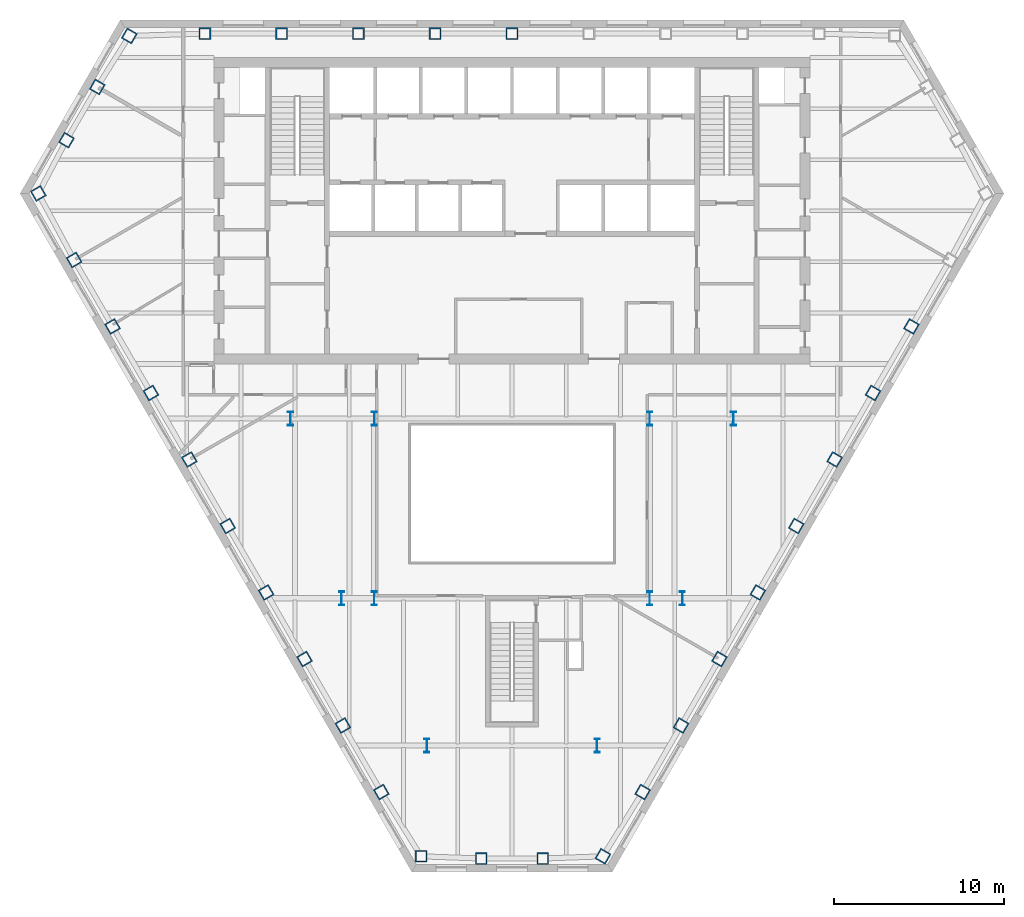
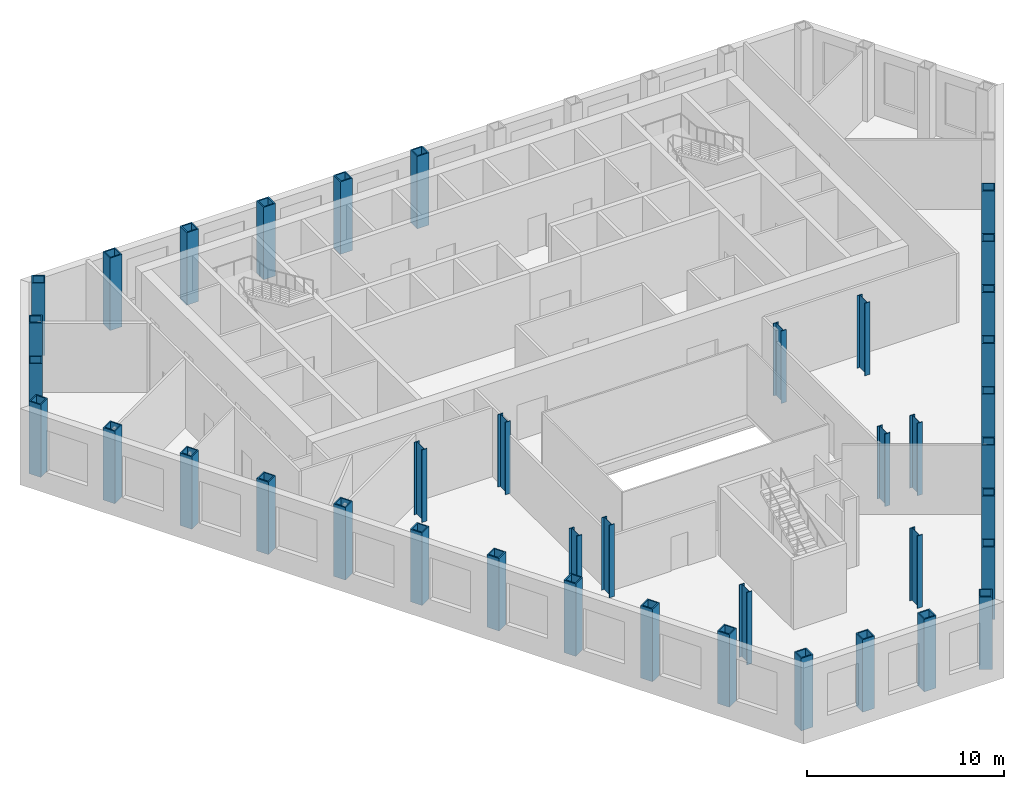
# One storey, part 1 of 11: 40 columns.
"""IFC4 building model written with IfcOpenShell, lengths in metres."""

from ifc_helpers import new_model, si_unit, direction, frame, origin, origin_2d, place, context, subcontext, project, spatial, hollow_rectangle, i_section, extrude, material, material_profile, profile_set, type_object, element, save


model = new_model("IFC4")

# Units and contexts
model_context = context("Model", 3, precision=1e-05, world=origin(), true_north=direction((0.0, 1.0)))
body_context = subcontext(model_context, "Body", "Model", "MODEL_VIEW")
ifc_project = project(units=[si_unit("LENGTHUNIT", "METRE"), si_unit("AREAUNIT", "SQUARE_METRE"), si_unit("VOLUMEUNIT", "CUBIC_METRE"), si_unit("PLANEANGLEUNIT", "RADIAN"), si_unit("MASSUNIT", "GRAM", prefix="KILO")], contexts=[model_context])

# Site, building, storey
site_placement = place(None, origin())
site = spatial("IfcSite", under=ifc_project, at=site_placement, CompositionType="ELEMENT")
building_placement = place(site_placement, origin())
building = spatial("IfcBuilding", under=site, at=building_placement, Name="Njiva Tower", CompositionType="ELEMENT")
storey_placement = place(building_placement, frame((0.0, 0.0, 42.3)))
storey = spatial("IfcBuildingStorey", under=building, at=storey_placement, Name="L08", CompositionType="ELEMENT", Elevation=42.3)

# Columns
ifc_material = material(Name="Steel S355 J2", Category="steel")
ifc_material_profile_1 = material_profile(ifc_material, hollow_rectangle(XDim=0.7, YDim=0.7, WallThickness=0.07, at=origin_2d()), Name="BOX 700x700x70")
ifc_profile_set_1 = profile_set([ifc_material_profile_1], Name="Steel S355 J2")
column_type_1 = type_object("IfcColumnType", Name="C5 Perimeter tube column BOX 700x700x70", PredefinedType="COLUMN", material=ifc_profile_set_1)
for number, where, z_axis, x_axis, name in (
    (1, (0.0, 19.4, 0.0), (0.0, 0.0, 1.0), (-1.0, 0.0, 0.0), "Perimeter tube column S02-C06"),
    (2, (-4.509, 19.4, 0.0), (0.0, 0.0, 1.0), (-1.0, 0.0, 0.0), "Perimeter tube column S02-C07"),
    (3, (-9.017, 19.4, 0.0), (0.0, 0.0, 1.0), (-1.0, 0.0, 0.0), "Perimeter tube column S02-C08"),
    (4, (-13.526, 19.4, 0.0), (0.0, 0.0, 1.0), (-1.0, 0.0, 0.0), "Perimeter tube column S02-C09"),
    (5, (-18.034, 19.4, 0.0), (0.0, 0.0, 1.0), (-1.0, 0.0, 0.0), "Perimeter tube column S02-C10"),
    (6, (-22.466, 19.267, 0.0), (0.0, 0.0, 1.0), (-0.5, -0.866025403784, 0.0), "Perimeter tube column S02-C11"),
    (7, (-24.349, 16.272, 0.0), (0.0, 0.0, 1.0), (-0.5, -0.866025403784, 0.0), "Perimeter tube column S02-C12"),
    (8, (-26.155, 13.144, 0.0), (0.0, 0.0, 1.0), (-0.5, -0.866025403784, 0.0), "Perimeter tube column S02-C13"),
    (9, (-27.808, 10.016, 0.0), (0.0, 0.0, 1.0), (0.5, -0.866025403784, 0.0), "Perimeter tube column S02-C14"),
    (10, (-25.707, 6.111, 0.0), (0.0, 0.0, 1.0), (0.5, -0.866025403784, 0.0), "Perimeter tube column S02-C15"),
    (11, (-23.453, 2.206, 0.0), (0.0, 0.0, 1.0), (0.5, -0.866025403784, 0.0), "Perimeter tube column S02-C16"),
    (12, (-21.198, -1.698, 0.0), (0.0, 0.0, 1.0), (0.5, -0.866025403784, 0.0), "Perimeter tube column S02-C17"),
    (13, (-18.944, -5.603, 0.0), (0.0, 0.0, 1.0), (0.5, -0.866025403784, 0.0), "Perimeter tube column S02-C18"),
    (14, (-16.69, -9.507, 0.0), (0.0, 0.0, 1.0), (0.5, -0.866025403784, 0.0), "Perimeter tube column S02-C19"),
    (15, (-14.435, -13.412, 0.0), (0.0, 0.0, 1.0), (0.5, -0.866025403784, 0.0), "Perimeter tube column S02-C20"),
    (16, (-12.181, -17.317, 0.0), (0.0, 0.0, 1.0), (0.5, -0.866025403784, 0.0), "Perimeter tube column S02-C21"),
    (17, (-9.927, -21.221, 0.0), (0.0, 0.0, 1.0), (0.5, -0.866025403784, 0.0), "Perimeter tube column S02-C22"),
    (18, (-7.672, -25.126, 0.0), (0.0, 0.0, 1.0), (0.5, -0.866025403784, 0.0), "Perimeter tube column S02-C23"),
    (19, (-5.341, -28.897, 0.0), (0.0, 0.0, 1.0), (1.0, 0.0, 0.0), "Perimeter tube column S02-C24"),
    (20, (-1.806, -29.03, 0.0), (0.0, 0.0, 1.0), (1.0, 0.0, 0.0), "Perimeter tube column S02-C25"),
    (21, (1.806, -29.03, 0.0), (0.0, 0.0, 1.0), (1.0, 0.0, 0.0), "Perimeter tube column S02-C26"),
    (22, (5.341, -28.897, 0.0), (0.0, 0.0, 1.0), (0.5, 0.866025403784, 0.0), "Perimeter tube column S02-C27"),
    (23, (7.672, -25.126, 0.0), (0.0, 0.0, 1.0), (0.5, 0.866025403784, 0.0), "Perimeter tube column S02-C28"),
    (24, (9.927, -21.221, 0.0), (0.0, 0.0, 1.0), (0.5, 0.866025403784, 0.0), "Perimeter tube column S02-C29"),
    (25, (12.181, -17.317, 0.0), (0.0, 0.0, 1.0), (0.5, 0.866025403784, 0.0), "Perimeter tube column S02-C30"),
    (26, (14.435, -13.412, 0.0), (0.0, 0.0, 1.0), (0.5, 0.866025403784, 0.0), "Perimeter tube column S02-C31"),
    (27, (16.69, -9.507, 0.0), (0.0, 0.0, 1.0), (0.5, 0.866025403784, 0.0), "Perimeter tube column S02-C32"),
    (28, (18.944, -5.603, 0.0), (0.0, 0.0, 1.0), (0.5, 0.866025403784, 0.0), "Perimeter tube column S02-C33"),
    (29, (21.198, -1.698, 0.0), (0.0, 0.0, 1.0), (0.5, 0.866025403784, 0.0), "Perimeter tube column S02-C34"),
    (30, (23.453, 2.206, 0.0), (0.0, 0.0, 1.0), (0.5, 0.866025403784, 0.0), "Perimeter tube column S02-C35"),
):
    element("IfcColumn", number, at=place(storey_placement, frame(where, z_axis=z_axis, x_axis=x_axis)), inside=storey, type_object=column_type_1, Name=name, PredefinedType="COLUMN", context=body_context, shape_type="SweptSolid", body=[
        extrude(hollow_rectangle(XDim=0.7, YDim=0.7, WallThickness=0.07, at=origin_2d()), origin(), (0.0, 0.0, 1.0), 4.5),
    ])
ifc_material_profile_2 = material_profile(ifc_material, i_section(OverallWidth=0.303, OverallDepth=0.814, WebThickness=0.021, FlangeThickness=0.04, at=origin_2d()), Name="HEM 800")
ifc_profile_set_2 = profile_set([ifc_material_profile_2], Name="Steel S355 J2")
column_type_2 = type_object("IfcColumnType", Name="C6 Interior column HEM 800", PredefinedType="COLUMN", material=ifc_profile_set_2)
for number, where, z_axis, x_axis, name in (
    (31, (8.09, -3.2, 0.0), (0.0, 0.0, 1.0), (1.0, 0.0, 0.0), "Interior column S02-C40"),
    (32, (-8.09, -3.2, 0.0), (0.0, 0.0, 1.0), (1.0, 0.0, 0.0), "Interior column S02-C41"),
    (33, (8.09, -13.75, 0.0), (0.0, 0.0, 1.0), (1.0, 0.0, 0.0), "Interior column S02-C42"),
    (34, (-8.09, -13.75, 0.0), (0.0, 0.0, 1.0), (1.0, 0.0, 0.0), "Interior column S02-C43"),
    (35, (5.0, -22.4, 0.0), (0.0, 0.0, 1.0), (1.0, 0.0, 0.0), "Interior column S02-C44"),
    (36, (-5.0, -22.4, 0.0), (0.0, 0.0, 1.0), (1.0, 0.0, 0.0), "Interior column S02-C45"),
    (37, (13.0, -3.2, 0.0), (0.0, 0.0, 1.0), (1.0, 0.0, 0.0), "Interior column S02-C46"),
    (38, (-13.0, -3.2, 0.0), (0.0, 0.0, 1.0), (1.0, 0.0, 0.0), "Interior column S02-C47"),
    (39, (10.0, -13.75, 0.0), (0.0, 0.0, 1.0), (1.0, 0.0, 0.0), "Interior column S02-C48"),
    (40, (-10.0, -13.75, 0.0), (0.0, 0.0, 1.0), (1.0, 0.0, 0.0), "Interior column S02-C49"),
):
    element("IfcColumn", number, at=place(storey_placement, frame(where, z_axis=z_axis, x_axis=x_axis)), inside=storey, type_object=column_type_2, Name=name, PredefinedType="COLUMN", context=body_context, shape_type="SweptSolid", body=[
        extrude(i_section(OverallWidth=0.303, OverallDepth=0.814, WebThickness=0.021, FlangeThickness=0.04, at=origin_2d()), origin(), (0.0, 0.0, 1.0), 4.5),
    ])

save(model, "model.ifc")
